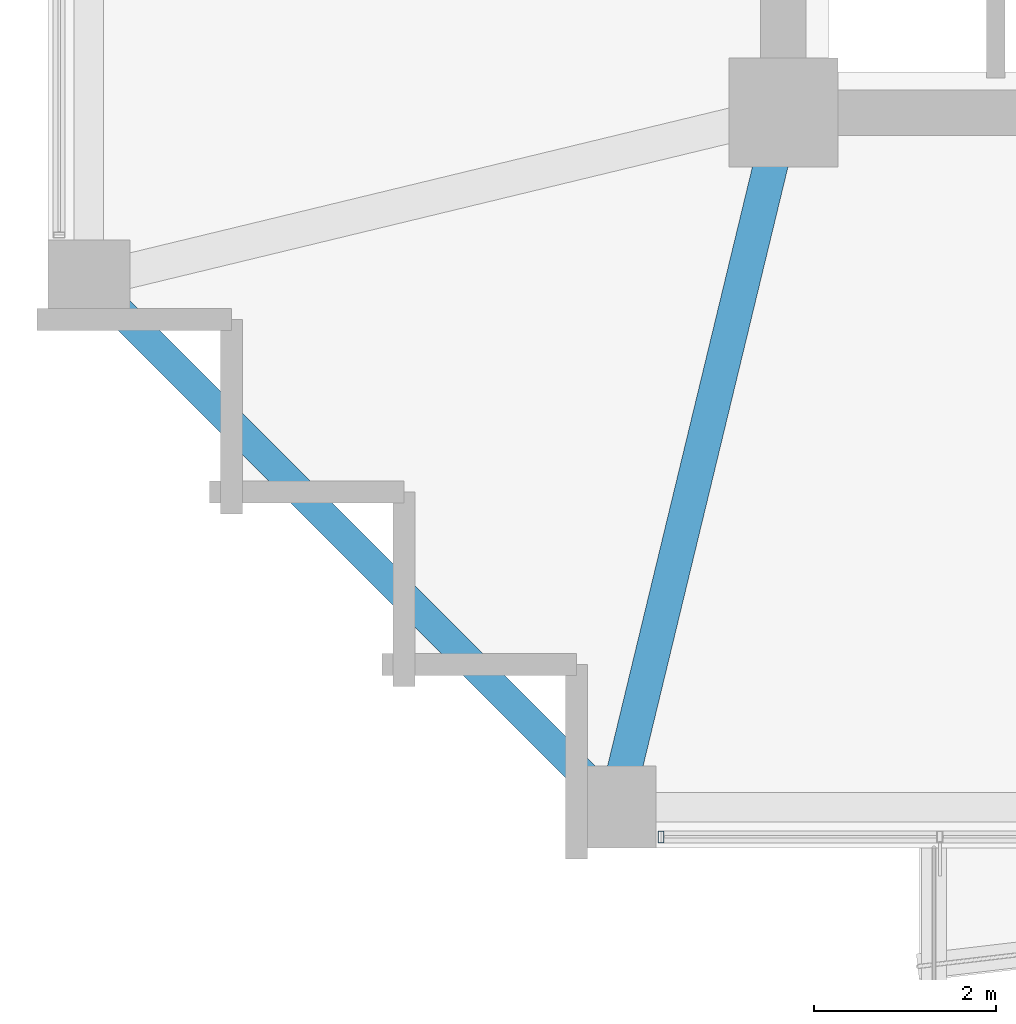
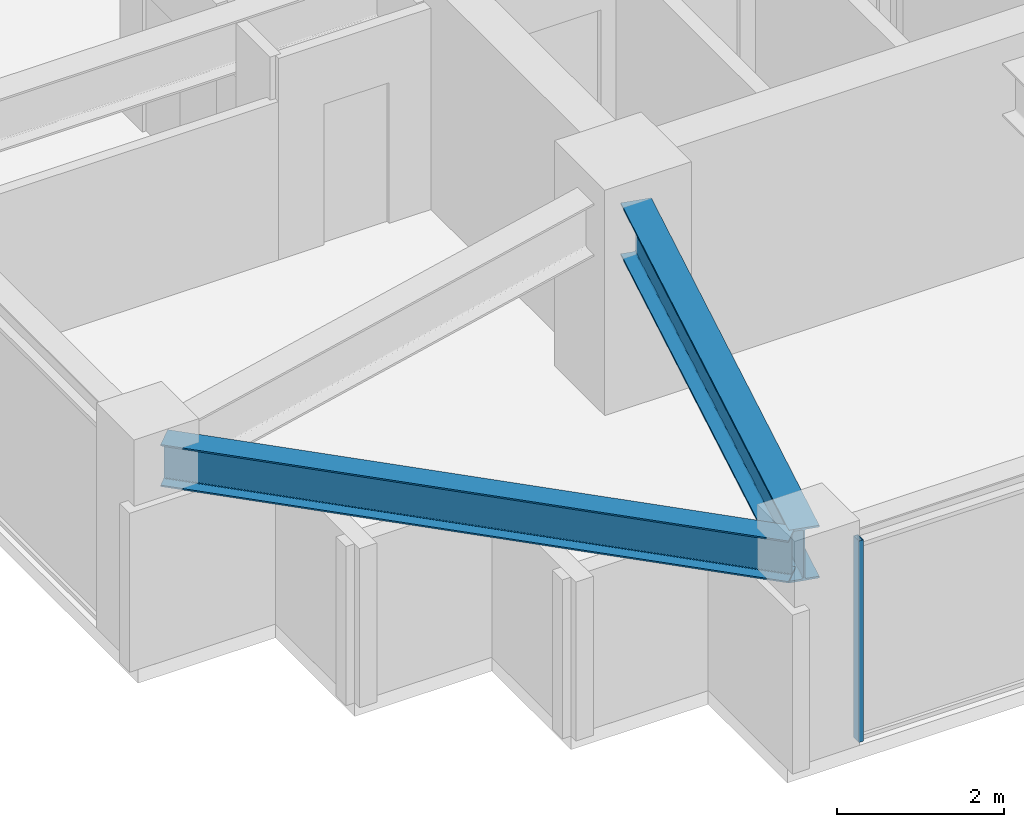
# One storey, part 2 of 31: 2 beams, 1 member, 1 element without a shape of its own.
"""IFC4 building model written with IfcOpenShell, lengths in metres."""

from ifc_helpers import new_model, si_unit, direction, frame, origin, origin_2d, place, context, subcontext, project, spatial, hollow_rectangle, i_section, extrude, material, material_profile, profile_set, type_object, element, aggregate, save


model = new_model("IFC4")

# Units and contexts
model_context = context("Model", 3, precision=1e-05, world=origin(), true_north=direction((0.0, 1.0)))
body_context = subcontext(model_context, "Body", "Model", "MODEL_VIEW")
ifc_project = project(units=[si_unit("LENGTHUNIT", "METRE"), si_unit("AREAUNIT", "SQUARE_METRE"), si_unit("VOLUMEUNIT", "CUBIC_METRE"), si_unit("PLANEANGLEUNIT", "RADIAN"), si_unit("MASSUNIT", "GRAM", prefix="KILO")], contexts=[model_context])

# Site, building, storey
site_placement = place(None, origin())
site = spatial("IfcSite", under=ifc_project, at=site_placement, CompositionType="ELEMENT")
building_placement = place(site_placement, origin())
building = spatial("IfcBuilding", under=site, at=building_placement, Name="Kolvaren Belvedere", CompositionType="ELEMENT")
storey_placement = place(building_placement, frame((0.0, 0.0, 144.800048828125)))
storey = spatial("IfcBuildingStorey", under=building, at=storey_placement, Name="L42", CompositionType="ELEMENT", Elevation=144.800048828125)

# Beams
ifc_material_1 = material(Name="Structural steel ASTM A992 Grade 50", Category="steel")
ifc_material_profile_1 = material_profile(ifc_material_1, i_section(OverallWidth=0.381103515625, OverallDepth=0.77294921875, WebThickness=0.0166015625, FlangeThickness=0.027099609375, FilletRadius=0.02392578125, at=origin_2d()), Name="W30X173")
ifc_profile_set_1 = profile_set([ifc_material_profile_1], Name="Structural steel ASTM A992 Grade 50")
beam_type_1 = type_object("IfcBeamType", Name="BM-GIRD-W30X173", PredefinedType="BEAM", material=ifc_profile_set_1)
beam_1_placement = place(storey_placement, frame((-10.029296875, -10.4345703125, 2.5634765625), z_axis=(-0.235062749937, -0.971980197119, 0.0), x_axis=(0.971980197119, -0.235062749937, 0.0)))
element("IfcBeam", 1, at=beam_1_placement, inside=storey, type_object=beam_type_1, Name="L42 Corner Core-to-Perimeter Girder CC1-S1", PredefinedType="BEAM", context=body_context, shape_type="SweptSolid", body=[
    extrude(i_section(OverallWidth=0.381103515625, OverallDepth=0.77294921875, WebThickness=0.0166015625, FlangeThickness=0.027099609375, FilletRadius=0.02392578125, at=origin_2d()), origin(), (0.0, 0.0, 1.0), 7.140625),
])
ifc_material_2 = material(Name="Structural steel ASTM A992 Grade 50", Category="steel")
ifc_material_profile_2 = material_profile(ifc_material_2, i_section(OverallWidth=0.324951171875, OverallDepth=0.615966796875, WebThickness=0.013916015625, FlangeThickness=0.021484375, FilletRadius=0.02001953125, at=origin_2d()), Name="W24X117")
ifc_profile_set_2 = profile_set([ifc_material_profile_2], Name="Structural steel ASTM A992 Grade 50")
beam_type_2 = type_object("IfcBeamType", Name="BM-SPAN-W24X117", PredefinedType="SPANDREL", material=ifc_profile_set_2)
beam_2_placement = place(storey_placement, frame((-17.40673828125, -11.893310546875, 2.641845703125), z_axis=(0.707106781187, -0.707106781187, 0.0), x_axis=(0.707106781187, 0.707106781187, 0.0)))
element("IfcBeam", 2, at=beam_2_placement, inside=storey, type_object=beam_type_2, Name="L42 Perimeter Spandrel W1-S1", PredefinedType="SPANDREL", context=body_context, shape_type="SweptSolid", body=[
    extrude(i_section(OverallWidth=0.324951171875, OverallDepth=0.615966796875, WebThickness=0.013916015625, FlangeThickness=0.021484375, FilletRadius=0.02001953125, at=origin_2d()), origin(), (0.0, 0.0, 1.0), 7.797119140625),
])

# Curtain wall, member
ifc_material_3 = material(Name="Anodised pale-metal aluminium AA 6063-T6", Category="aluminium")
curtain_wall_type = type_object("IfcCurtainWallType", Name="CW-Z3-WAIST", PredefinedType="NOTDEFINED", material=ifc_material_3)
curtain_wall_placement = place(storey_placement, origin())
curtain_wall = element("IfcCurtainWall", 3, at=curtain_wall_placement, inside=storey, type_object=curtain_wall_type, Name="L42 Unitised Curtain Wall FCW-L42-S2-B2", PredefinedType="NOTDEFINED")
ifc_material_4 = material(Name="Anodised pale-metal aluminium AA 6063-T6", Category="aluminium")
ifc_material_profile_3 = material_profile(ifc_material_4, hollow_rectangle(XDim=0.06494140625, YDim=0.1298828125, WallThickness=0.00390625, at=origin_2d()), Name="ALU-MUL-130X65")
ifc_profile_set_3 = profile_set([ifc_material_profile_3], Name="Anodised pale-metal aluminium AA 6063-T6")
member_type = type_object("IfcMemberType", Name="CW-MUL-130", PredefinedType="MULLION", material=ifc_profile_set_3)
member_placement = place(storey_placement, frame((-11.24755859375, -17.8798828125, 0.0), z_axis=(0.0, 0.0, 1.0), x_axis=(1.0, 0.0, 0.0)))
member = element("IfcMember", 4, at=member_placement, type_object=member_type, Name="FCW-L42-S2-B2 Unitised Mullion 3", PredefinedType="MULLION", context=body_context, shape_type="SweptSolid", body=[
    extrude(hollow_rectangle(XDim=0.06494140625, YDim=0.1298828125, WallThickness=0.00390625, at=origin_2d()), origin(), (0.0, 0.0, 1.0), 2.949951171875),
])
aggregate(curtain_wall, [member])

save(model, "model.ifc")
